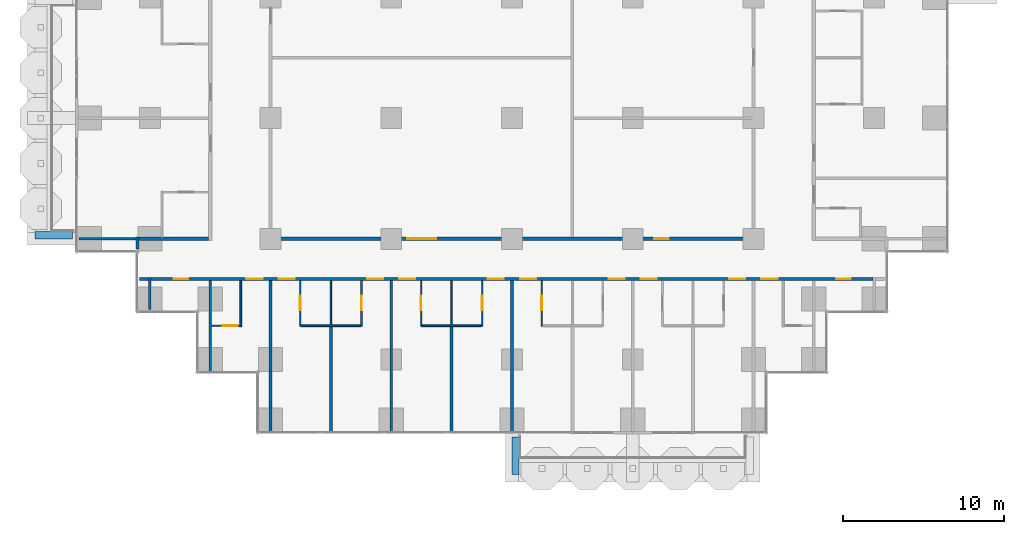
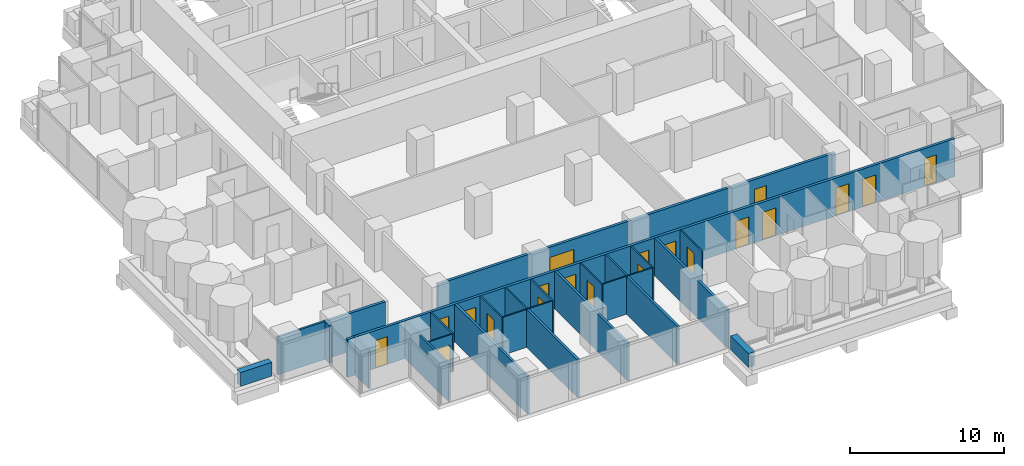
# One storey, part 11 of 19: 26 walls, 20 doors, 20 openings.
"""IFC4 building model written with IfcOpenShell, lengths in metres."""

from ifc_helpers import new_model, si_unit, direction, frame, frame_2d, origin, place, context, subcontext, project, spatial, rectangle, extrude, material, layer, layer_set, type_object, element, fill, save


model = new_model("IFC4")

# Units and contexts
model_context = context("Model", 3, precision=1e-05, world=origin(), true_north=direction((0.0, 1.0)))
body_context = subcontext(model_context, "Body", "Model", "MODEL_VIEW")
ifc_project = project(units=[si_unit("LENGTHUNIT", "METRE"), si_unit("AREAUNIT", "SQUARE_METRE"), si_unit("VOLUMEUNIT", "CUBIC_METRE"), si_unit("PLANEANGLEUNIT", "RADIAN"), si_unit("MASSUNIT", "GRAM", prefix="KILO")], contexts=[model_context])

# Site, building, storey
site_placement = place(None, origin())
site = spatial("IfcSite", under=ifc_project, at=site_placement, CompositionType="ELEMENT")
building_placement = place(site_placement, origin())
building = spatial("IfcBuilding", under=site, at=building_placement, Name="Pilkhan Gate Tower", CompositionType="ELEMENT")
storey_placement = place(building_placement, frame((0.0, 0.0, 72.5)))
storey = spatial("IfcBuildingStorey", under=building, at=storey_placement, Name="L16", CompositionType="ELEMENT", Elevation=72.5)

# Walls
ifc_material_1 = material(Name="Dense blockwork", Category="masonry")
ifc_layer_1 = layer(ifc_material_1, 0.175048828125)
ifc_layer_set_1 = layer_set([ifc_layer_1], Name="Acoustic party wall PW175")
wall_type_1 = type_object("IfcWallType", Name="Acoustic party wall PW175", PredefinedType="PARTITIONING", material=ifc_layer_set_1)
wall_1_placement = place(storey_placement, frame((60.0, 40.485107421875, 0.0), z_axis=(0.0, 0.0, 1.0), x_axis=(0.0, 1.0, 0.0)))
element("IfcWall", 1, at=wall_1_placement, inside=storey, type_object=wall_type_1, Name="Partition L16", PredefinedType="PARTITIONING", context=body_context, shape_type="SweptSolid", body=[
    extrude(rectangle(XDim=9.414794921875, YDim=0.175048828125, at=frame_2d((4.70751953125, 0.0))), origin(), (0.0, 0.0, 1.0), 3.0),
])
wall_2_placement = place(storey_placement, frame((63.75, 40.485107421875, 0.0), z_axis=(0.0, 0.0, 1.0), x_axis=(0.0, 1.0, 0.0)))
element("IfcWall", 2, at=wall_2_placement, inside=storey, type_object=wall_type_1, Name="Partition L16", PredefinedType="PARTITIONING", context=body_context, shape_type="SweptSolid", body=[
    extrude(rectangle(XDim=6.56494140625, YDim=0.175048828125, at=frame_2d((3.282470703125, 0.0))), origin(), (0.0, 0.0, 1.0), 3.0),
])
wall_3_placement = place(storey_placement, frame((67.5, 40.485107421875, 0.0), z_axis=(0.0, 0.0, 1.0), x_axis=(0.0, 1.0, 0.0)))
element("IfcWall", 3, at=wall_3_placement, inside=storey, type_object=wall_type_1, Name="Partition L16", PredefinedType="PARTITIONING", context=body_context, shape_type="SweptSolid", body=[
    extrude(rectangle(XDim=9.414794921875, YDim=0.175048828125, at=frame_2d((4.70751953125, 0.0))), origin(), (0.0, 0.0, 1.0), 3.0),
])
wall_4_placement = place(storey_placement, frame((71.25, 40.485107421875, 0.0), z_axis=(0.0, 0.0, 1.0), x_axis=(0.0, 1.0, 0.0)))
element("IfcWall", 4, at=wall_4_placement, inside=storey, type_object=wall_type_1, Name="Partition L16", PredefinedType="PARTITIONING", context=body_context, shape_type="SweptSolid", body=[
    extrude(rectangle(XDim=6.56494140625, YDim=0.175048828125, at=frame_2d((3.282470703125, 0.0))), origin(), (0.0, 0.0, 1.0), 3.0),
])
wall_5_placement = place(storey_placement, frame((75.0, 40.485107421875, 0.0), z_axis=(0.0, 0.0, 1.0), x_axis=(0.0, 1.0, 0.0)))
element("IfcWall", 5, at=wall_5_placement, inside=storey, type_object=wall_type_1, Name="Partition L16", PredefinedType="PARTITIONING", context=body_context, shape_type="SweptSolid", body=[
    extrude(rectangle(XDim=9.414794921875, YDim=0.175048828125, at=frame_2d((4.70751953125, 0.0))), origin(), (0.0, 0.0, 1.0), 3.0),
])
ifc_material_2 = material(Name="Board-marked Concrete C40/50", Category="concrete")
ifc_layer_2 = layer(ifc_material_2, 0.449951171875)
ifc_layer_set_2 = layer_set([ifc_layer_2], Name="Balcony planter lip BL450")
wall_type_2 = type_object("IfcWallType", Name="Balcony planter lip BL450", PredefinedType="USERDEFINED", material=ifc_layer_set_2)
for number, where, z_axis, x_axis, name in (
    (6, (75.22509765625, 40.199951171875, 0.0), (0.0, 0.0, 1.0), (0.0, -1.0, 0.0), "Balcony planter L16 S"),
    (7, (47.699951171875, 52.72509765625, 0.0), (0.0, 0.0, 1.0), (-1.0, 0.0, 0.0), "Balcony planter L16 W"),
):
    element("IfcWall", number, at=place(storey_placement, frame(where, z_axis=z_axis, x_axis=x_axis)), inside=storey, type_object=wall_type_2, Name=name, ObjectType="BALCONY PLANTER", PredefinedType="USERDEFINED", context=body_context, shape_type="SweptSolid", body=[
        extrude(rectangle(XDim=2.349853515625, YDim=0.449951171875, at=frame_2d((1.1748046875, 0.0))), origin(), (0.0, 0.0, 1.0), 1.10009765625),
    ])
ifc_layer_3 = layer(ifc_material_1, 0.199951171875)
ifc_layer_set_3 = layer_set([ifc_layer_3], Name="Corridor wall FW200")
wall_type_3 = type_object("IfcWallType", Name="Corridor wall FW200", PredefinedType="PARTITIONING", material=ifc_layer_set_3)
wall_6_placement = place(storey_placement, frame((51.85498046875, 50.0, 0.0), z_axis=(0.0, 0.0, 1.0), x_axis=(1.0, 0.0, 0.0)))
element("IfcWall", 8, at=wall_6_placement, inside=storey, type_object=wall_type_3, Name="Partition L16", PredefinedType="PARTITIONING", context=body_context, shape_type="SweptSolid", body=[
    extrude(rectangle(XDim=0.570068359375, YDim=0.199951171875, at=frame_2d((0.28515625, 0.0))), origin(), (0.0, 0.0, 1.0), 3.0),
])

# Wall, openings, doors
wall_7_placement = place(storey_placement, frame((52.574951171875, 50.0, 0.0), z_axis=(0.0, 0.0, 1.0), x_axis=(1.0, 0.0, 0.0)))
wall_7 = element("IfcWall", 9, at=wall_7_placement, inside=storey, type_object=wall_type_3, Name="Partition L16", PredefinedType="PARTITIONING", context=body_context, shape_type="SweptSolid", body=[
    extrude(rectangle(XDim=44.85009765625, YDim=0.199951171875, at=frame_2d((22.425048828125, 0.0))), origin(), (0.0, 0.0, 1.0), 3.0),
])
opening_1_placement = place(wall_7_placement, frame((5.925048828125, 0.0, 0.0)))
opening_1 = element("IfcOpeningElement", 10, at=opening_1_placement, cuts=wall_7, Name="Opening L16-06", PredefinedType="OPENING", context=body_context, shape_type="SweptSolid", body=[
    extrude(rectangle(XDim=1.0, YDim=2.199951171875, at=frame_2d((0.5, 1.10009765625))), frame((0.0, 0.10986328125, 0.0), z_axis=(0.0, -1.0, 0.0), x_axis=(1.0, 0.0, 0.0)), (0.0, 0.0, 1.0), 0.219970703125),
])
opening_2_placement = place(wall_7_placement, frame((7.925048828125, 0.0, 0.0)))
opening_2 = element("IfcOpeningElement", 11, at=opening_2_placement, cuts=wall_7, Name="Opening L16-08", PredefinedType="OPENING", context=body_context, shape_type="SweptSolid", body=[
    extrude(rectangle(XDim=1.0, YDim=2.199951171875, at=frame_2d((0.5, 1.10009765625))), frame((0.0, 0.10986328125, 0.0), z_axis=(0.0, -1.0, 0.0), x_axis=(1.0, 0.0, 0.0)), (0.0, 0.0, 1.0), 0.219970703125),
])
opening_3_placement = place(wall_7_placement, frame((13.425048828125, 0.0, 0.0)))
opening_3 = element("IfcOpeningElement", 12, at=opening_3_placement, cuts=wall_7, Name="Opening L16-10", PredefinedType="OPENING", context=body_context, shape_type="SweptSolid", body=[
    extrude(rectangle(XDim=1.0, YDim=2.199951171875, at=frame_2d((0.5, 1.10009765625))), frame((0.0, 0.10986328125, 0.0), z_axis=(0.0, -1.0, 0.0), x_axis=(1.0, 0.0, 0.0)), (0.0, 0.0, 1.0), 0.219970703125),
])
opening_4_placement = place(wall_7_placement, frame((15.425048828125, 0.0, 0.0)))
opening_4 = element("IfcOpeningElement", 13, at=opening_4_placement, cuts=wall_7, Name="Opening L16-12", PredefinedType="OPENING", context=body_context, shape_type="SweptSolid", body=[
    extrude(rectangle(XDim=1.0, YDim=2.199951171875, at=frame_2d((0.5, 1.10009765625))), frame((0.0, 0.10986328125, 0.0), z_axis=(0.0, -1.0, 0.0), x_axis=(1.0, 0.0, 0.0)), (0.0, 0.0, 1.0), 0.219970703125),
])
opening_5_placement = place(wall_7_placement, frame((20.925048828125, 0.0, 0.0)))
opening_5 = element("IfcOpeningElement", 14, at=opening_5_placement, cuts=wall_7, Name="Opening L16-14", PredefinedType="OPENING", context=body_context, shape_type="SweptSolid", body=[
    extrude(rectangle(XDim=1.0, YDim=2.199951171875, at=frame_2d((0.5, 1.10009765625))), frame((0.0, 0.10986328125, 0.0), z_axis=(0.0, -1.0, 0.0), x_axis=(1.0, 0.0, 0.0)), (0.0, 0.0, 1.0), 0.219970703125),
])
opening_6_placement = place(wall_7_placement, frame((22.925048828125, 0.0, 0.0)))
opening_6 = element("IfcOpeningElement", 15, at=opening_6_placement, cuts=wall_7, Name="Opening L16-16", PredefinedType="OPENING", context=body_context, shape_type="SweptSolid", body=[
    extrude(rectangle(XDim=1.0, YDim=2.199951171875, at=frame_2d((0.5, 1.10009765625))), frame((0.0, 0.10986328125, 0.0), z_axis=(0.0, -1.0, 0.0), x_axis=(1.0, 0.0, 0.0)), (0.0, 0.0, 1.0), 0.219970703125),
])
opening_7_placement = place(wall_7_placement, frame((28.425048828125, 0.0, 0.0)))
opening_7 = element("IfcOpeningElement", 16, at=opening_7_placement, cuts=wall_7, Name="Opening L16-18", PredefinedType="OPENING", context=body_context, shape_type="SweptSolid", body=[
    extrude(rectangle(XDim=1.0, YDim=2.199951171875, at=frame_2d((0.5, 1.10009765625))), frame((0.0, 0.10986328125, 0.0), z_axis=(0.0, -1.0, 0.0), x_axis=(1.0, 0.0, 0.0)), (0.0, 0.0, 1.0), 0.219970703125),
])
opening_8_placement = place(wall_7_placement, frame((30.425048828125, 0.0, 0.0)))
opening_8 = element("IfcOpeningElement", 17, at=opening_8_placement, cuts=wall_7, Name="Opening L16-20", PredefinedType="OPENING", context=body_context, shape_type="SweptSolid", body=[
    extrude(rectangle(XDim=1.0, YDim=2.199951171875, at=frame_2d((0.5, 1.10009765625))), frame((0.0, 0.10986328125, 0.0), z_axis=(0.0, -1.0, 0.0), x_axis=(1.0, 0.0, 0.0)), (0.0, 0.0, 1.0), 0.219970703125),
])
opening_9_placement = place(wall_7_placement, frame((35.925048828125, 0.0, 0.0)))
opening_9 = element("IfcOpeningElement", 18, at=opening_9_placement, cuts=wall_7, Name="Opening L16-22", PredefinedType="OPENING", context=body_context, shape_type="SweptSolid", body=[
    extrude(rectangle(XDim=1.0, YDim=2.199951171875, at=frame_2d((0.5, 1.10009765625))), frame((0.0, 0.10986328125, 0.0), z_axis=(0.0, -1.0, 0.0), x_axis=(1.0, 0.0, 0.0)), (0.0, 0.0, 1.0), 0.219970703125),
])
opening_10_placement = place(wall_7_placement, frame((37.925048828125, 0.0, 0.0)))
opening_10 = element("IfcOpeningElement", 19, at=opening_10_placement, cuts=wall_7, Name="Opening L16-24", PredefinedType="OPENING", context=body_context, shape_type="SweptSolid", body=[
    extrude(rectangle(XDim=1.0, YDim=2.199951171875, at=frame_2d((0.5, 1.10009765625))), frame((0.0, 0.10986328125, 0.0), z_axis=(0.0, -1.0, 0.0), x_axis=(1.0, 0.0, 0.0)), (0.0, 0.0, 1.0), 0.219970703125),
])
opening_11_placement = place(wall_7_placement, frame((1.39990234375, 0.0, 0.0)))
opening_11 = element("IfcOpeningElement", 20, at=opening_11_placement, cuts=wall_7, Name="Opening L16-51", PredefinedType="OPENING", context=body_context, shape_type="SweptSolid", body=[
    extrude(rectangle(XDim=0.89990234375, YDim=2.199951171875, at=frame_2d((0.449951171875, 1.10009765625))), frame((0.0, 0.10986328125, 0.0), z_axis=(0.0, -1.0, 0.0), x_axis=(1.0, 0.0, 0.0)), (0.0, 0.0, 1.0), 0.219970703125),
])
opening_12_placement = place(wall_7_placement, frame((42.574951171875, 0.0, 0.0)))
opening_12 = element("IfcOpeningElement", 21, at=opening_12_placement, cuts=wall_7, Name="Opening L16-52", PredefinedType="OPENING", context=body_context, shape_type="SweptSolid", body=[
    extrude(rectangle(XDim=0.89990234375, YDim=2.199951171875, at=frame_2d((0.449951171875, 1.10009765625))), frame((0.0, 0.10986328125, 0.0), z_axis=(0.0, -1.0, 0.0), x_axis=(1.0, 0.0, 0.0)), (0.0, 0.0, 1.0), 0.219970703125),
])
ifc_material_3 = material(Name="Timber flush door, 30 minute fire resisting", Category="wood")
door_type_1 = type_object("IfcDoorType", Name="Guest room door D01 1000x2200", OperationType="SINGLE_SWING_LEFT", PredefinedType="DOOR", material=ifc_material_3)
door_1_placement = place(opening_1_placement, origin())
door_1 = element("IfcDoor", 22, at=door_1_placement, inside=storey, type_object=door_type_1, Name="Guest room door", OperationType="SINGLE_SWING_LEFT", OverallHeight=2.199951171875, OverallWidth=1.0, PredefinedType="DOOR", context=body_context, shape_type="SweptSolid", body=[
    extrude(rectangle(XDim=1.0, YDim=2.199951171875, at=frame_2d((0.5, 1.10009765625))), frame((0.0, 0.02490234375, 0.0), z_axis=(0.0, -1.0, 0.0), x_axis=(1.0, 0.0, 0.0)), (0.0, 0.0, 1.0), 0.050048828125),
])
fill(opening_1, door_1)
door_2_placement = place(opening_2_placement, origin())
door_2 = element("IfcDoor", 23, at=door_2_placement, inside=storey, type_object=door_type_1, Name="Guest room door", OperationType="SINGLE_SWING_LEFT", OverallHeight=2.199951171875, OverallWidth=1.0, PredefinedType="DOOR", context=body_context, shape_type="SweptSolid", body=[
    extrude(rectangle(XDim=1.0, YDim=2.199951171875, at=frame_2d((0.5, 1.10009765625))), frame((0.0, 0.02490234375, 0.0), z_axis=(0.0, -1.0, 0.0), x_axis=(1.0, 0.0, 0.0)), (0.0, 0.0, 1.0), 0.050048828125),
])
fill(opening_2, door_2)
door_3_placement = place(opening_3_placement, origin())
door_3 = element("IfcDoor", 24, at=door_3_placement, inside=storey, type_object=door_type_1, Name="Guest room door", OperationType="SINGLE_SWING_LEFT", OverallHeight=2.199951171875, OverallWidth=1.0, PredefinedType="DOOR", context=body_context, shape_type="SweptSolid", body=[
    extrude(rectangle(XDim=1.0, YDim=2.199951171875, at=frame_2d((0.5, 1.10009765625))), frame((0.0, 0.02490234375, 0.0), z_axis=(0.0, -1.0, 0.0), x_axis=(1.0, 0.0, 0.0)), (0.0, 0.0, 1.0), 0.050048828125),
])
fill(opening_3, door_3)
door_4_placement = place(opening_4_placement, origin())
door_4 = element("IfcDoor", 25, at=door_4_placement, inside=storey, type_object=door_type_1, Name="Guest room door", OperationType="SINGLE_SWING_RIGHT", OverallHeight=2.199951171875, OverallWidth=1.0, PredefinedType="DOOR", context=body_context, shape_type="SweptSolid", body=[
    extrude(rectangle(XDim=1.0, YDim=2.199951171875, at=frame_2d((0.5, 1.10009765625))), frame((0.0, 0.02490234375, 0.0), z_axis=(0.0, -1.0, 0.0), x_axis=(1.0, 0.0, 0.0)), (0.0, 0.0, 1.0), 0.050048828125),
])
fill(opening_4, door_4)
door_5_placement = place(opening_5_placement, origin())
door_5 = element("IfcDoor", 26, at=door_5_placement, inside=storey, type_object=door_type_1, Name="Guest room door", OperationType="SINGLE_SWING_LEFT", OverallHeight=2.199951171875, OverallWidth=1.0, PredefinedType="DOOR", context=body_context, shape_type="SweptSolid", body=[
    extrude(rectangle(XDim=1.0, YDim=2.199951171875, at=frame_2d((0.5, 1.10009765625))), frame((0.0, 0.02490234375, 0.0), z_axis=(0.0, -1.0, 0.0), x_axis=(1.0, 0.0, 0.0)), (0.0, 0.0, 1.0), 0.050048828125),
])
fill(opening_5, door_5)
door_6_placement = place(opening_6_placement, origin())
door_6 = element("IfcDoor", 27, at=door_6_placement, inside=storey, type_object=door_type_1, Name="Guest room door", OperationType="SINGLE_SWING_LEFT", OverallHeight=2.199951171875, OverallWidth=1.0, PredefinedType="DOOR", context=body_context, shape_type="SweptSolid", body=[
    extrude(rectangle(XDim=1.0, YDim=2.199951171875, at=frame_2d((0.5, 1.10009765625))), frame((0.0, 0.02490234375, 0.0), z_axis=(0.0, -1.0, 0.0), x_axis=(1.0, 0.0, 0.0)), (0.0, 0.0, 1.0), 0.050048828125),
])
fill(opening_6, door_6)
door_7_placement = place(opening_7_placement, origin())
door_7 = element("IfcDoor", 28, at=door_7_placement, inside=storey, type_object=door_type_1, Name="Guest room door", OperationType="SINGLE_SWING_LEFT", OverallHeight=2.199951171875, OverallWidth=1.0, PredefinedType="DOOR", context=body_context, shape_type="SweptSolid", body=[
    extrude(rectangle(XDim=1.0, YDim=2.199951171875, at=frame_2d((0.5, 1.10009765625))), frame((0.0, 0.02490234375, 0.0), z_axis=(0.0, -1.0, 0.0), x_axis=(1.0, 0.0, 0.0)), (0.0, 0.0, 1.0), 0.050048828125),
])
fill(opening_7, door_7)
door_8_placement = place(opening_8_placement, origin())
door_8 = element("IfcDoor", 29, at=door_8_placement, inside=storey, type_object=door_type_1, Name="Guest room door", OperationType="SINGLE_SWING_RIGHT", OverallHeight=2.199951171875, OverallWidth=1.0, PredefinedType="DOOR", context=body_context, shape_type="SweptSolid", body=[
    extrude(rectangle(XDim=1.0, YDim=2.199951171875, at=frame_2d((0.5, 1.10009765625))), frame((0.0, 0.02490234375, 0.0), z_axis=(0.0, -1.0, 0.0), x_axis=(1.0, 0.0, 0.0)), (0.0, 0.0, 1.0), 0.050048828125),
])
fill(opening_8, door_8)
door_9_placement = place(opening_9_placement, origin())
door_9 = element("IfcDoor", 30, at=door_9_placement, inside=storey, type_object=door_type_1, Name="Guest room door", OperationType="SINGLE_SWING_LEFT", OverallHeight=2.199951171875, OverallWidth=1.0, PredefinedType="DOOR", context=body_context, shape_type="SweptSolid", body=[
    extrude(rectangle(XDim=1.0, YDim=2.199951171875, at=frame_2d((0.5, 1.10009765625))), frame((0.0, 0.02490234375, 0.0), z_axis=(0.0, -1.0, 0.0), x_axis=(1.0, 0.0, 0.0)), (0.0, 0.0, 1.0), 0.050048828125),
])
fill(opening_9, door_9)
door_10_placement = place(opening_10_placement, origin())
door_10 = element("IfcDoor", 31, at=door_10_placement, inside=storey, type_object=door_type_1, Name="Guest room door", OperationType="SINGLE_SWING_RIGHT", OverallHeight=2.199951171875, OverallWidth=1.0, PredefinedType="DOOR", context=body_context, shape_type="SweptSolid", body=[
    extrude(rectangle(XDim=1.0, YDim=2.199951171875, at=frame_2d((0.5, 1.10009765625))), frame((0.0, 0.02490234375, 0.0), z_axis=(0.0, -1.0, 0.0), x_axis=(1.0, 0.0, 0.0)), (0.0, 0.0, 1.0), 0.050048828125),
])
fill(opening_10, door_10)
ifc_material_4 = material(Name="Timber flush door, 60 minute fire resisting, self-closing", Category="wood")
door_type_2 = type_object("IfcDoorType", Name="Store door D05 900x2200", OperationType="SINGLE_SWING_LEFT", PredefinedType="DOOR", material=ifc_material_4)
door_11_placement = place(opening_11_placement, origin())
door_11 = element("IfcDoor", 32, at=door_11_placement, inside=storey, type_object=door_type_2, Name="Store door", OperationType="SINGLE_SWING_LEFT", OverallHeight=2.199951171875, OverallWidth=0.89990234375, PredefinedType="DOOR", context=body_context, shape_type="SweptSolid", body=[
    extrude(rectangle(XDim=0.89990234375, YDim=2.199951171875, at=frame_2d((0.449951171875, 1.10009765625))), frame((0.0, 0.02490234375, 0.0), z_axis=(0.0, -1.0, 0.0), x_axis=(1.0, 0.0, 0.0)), (0.0, 0.0, 1.0), 0.050048828125),
])
fill(opening_11, door_11)
door_12_placement = place(opening_12_placement, origin())
door_12 = element("IfcDoor", 33, at=door_12_placement, inside=storey, type_object=door_type_2, Name="Store door", OperationType="SINGLE_SWING_RIGHT", OverallHeight=2.199951171875, OverallWidth=0.89990234375, PredefinedType="DOOR", context=body_context, shape_type="SweptSolid", body=[
    extrude(rectangle(XDim=0.89990234375, YDim=2.199951171875, at=frame_2d((0.449951171875, 1.10009765625))), frame((0.0, 0.02490234375, 0.0), z_axis=(0.0, -1.0, 0.0), x_axis=(1.0, 0.0, 0.0)), (0.0, 0.0, 1.0), 0.050048828125),
])
fill(opening_12, door_12)

# Wall
wall_8_placement = place(storey_placement, frame((51.8349609375, 52.5, 0.0), z_axis=(0.0, 0.0, 1.0), x_axis=(1.0, 0.0, 0.0)))
element("IfcWall", 34, at=wall_8_placement, inside=storey, type_object=wall_type_3, Name="Partition L16", PredefinedType="PARTITIONING", context=body_context, shape_type="SweptSolid", body=[
    extrude(rectangle(XDim=4.31494140625, YDim=0.199951171875, at=frame_2d((2.157470703125, 0.0))), origin(), (0.0, 0.0, 1.0), 3.0),
])

# Wall, openings, doors
wall_9_placement = place(storey_placement, frame((60.10009765625, 52.5, 0.0), z_axis=(0.0, 0.0, 1.0), x_axis=(1.0, 0.0, 0.0)))
wall_9 = element("IfcWall", 35, at=wall_9_placement, inside=storey, type_object=wall_type_3, Name="Partition L16", PredefinedType="PARTITIONING", context=body_context, shape_type="SweptSolid", body=[
    extrude(rectangle(XDim=29.7998046875, YDim=0.199951171875, at=frame_2d((14.89990234375, 0.0))), origin(), (0.0, 0.0, 1.0), 3.0),
])
opening_13_placement = place(wall_9_placement, frame((8.39990234375, 0.0, 0.0)))
opening_13 = element("IfcOpeningElement", 36, at=opening_13_placement, cuts=wall_9, Name="Opening L16-54", PredefinedType="OPENING", context=body_context, shape_type="SweptSolid", body=[
    extrude(rectangle(XDim=1.800048828125, YDim=2.199951171875, at=frame_2d((0.89990234375, 1.10009765625))), frame((0.0, 0.10986328125, 0.0), z_axis=(0.0, -1.0, 0.0), x_axis=(1.0, 0.0, 0.0)), (0.0, 0.0, 1.0), 0.219970703125),
])
opening_14_placement = place(wall_9_placement, frame((23.75, 0.0, 0.0)))
opening_14 = element("IfcOpeningElement", 37, at=opening_14_placement, cuts=wall_9, Name="Opening L16-55", PredefinedType="OPENING", context=body_context, shape_type="SweptSolid", body=[
    extrude(rectangle(XDim=0.89990234375, YDim=2.199951171875, at=frame_2d((0.449951171875, 1.10009765625))), frame((0.0, 0.10986328125, 0.0), z_axis=(0.0, -1.0, 0.0), x_axis=(1.0, 0.0, 0.0)), (0.0, 0.0, 1.0), 0.219970703125),
])
ifc_material_5 = material(Name="Timber glazed double door, 30 minute fire resisting", Category="wood")
door_type_3 = type_object("IfcDoorType", Name="Double door D04 1800x2200", OperationType="DOUBLE_DOOR_SINGLE_SWING", PredefinedType="DOOR", material=ifc_material_5)
door_13_placement = place(opening_13_placement, origin())
door_13 = element("IfcDoor", 38, at=door_13_placement, inside=storey, type_object=door_type_3, Name="Double door", OperationType="DOUBLE_DOOR_SINGLE_SWING", OverallHeight=2.199951171875, OverallWidth=1.800048828125, PredefinedType="DOOR", context=body_context, shape_type="SweptSolid", body=[
    extrude(rectangle(XDim=1.800048828125, YDim=2.199951171875, at=frame_2d((0.89990234375, 1.10009765625))), frame((0.0, 0.02490234375, 0.0), z_axis=(0.0, -1.0, 0.0), x_axis=(1.0, 0.0, 0.0)), (0.0, 0.0, 1.0), 0.050048828125),
])
fill(opening_13, door_13)
door_14_placement = place(opening_14_placement, origin())
door_14 = element("IfcDoor", 39, at=door_14_placement, inside=storey, type_object=door_type_2, Name="Store door", OperationType="SINGLE_SWING_LEFT", OverallHeight=2.199951171875, OverallWidth=0.89990234375, PredefinedType="DOOR", context=body_context, shape_type="SweptSolid", body=[
    extrude(rectangle(XDim=0.89990234375, YDim=2.199951171875, at=frame_2d((0.449951171875, 1.10009765625))), frame((0.0, 0.02490234375, 0.0), z_axis=(0.0, -1.0, 0.0), x_axis=(1.0, 0.0, 0.0)), (0.0, 0.0, 1.0), 0.050048828125),
])
fill(opening_14, door_14)

# Walls
wall_10_placement = place(storey_placement, frame((51.735107421875, 51.85498046875, 0.0), z_axis=(0.0, 0.0, 1.0), x_axis=(0.0, 1.0, 0.0)))
element("IfcWall", 40, at=wall_10_placement, inside=storey, type_object=wall_type_3, Name="Partition L16", PredefinedType="PARTITIONING", context=body_context, shape_type="SweptSolid", body=[
    extrude(rectangle(XDim=0.7451171875, YDim=0.199951171875, at=frame_2d((0.37255859375, 0.0))), origin(), (0.0, 0.0, 1.0), 3.0),
])
ifc_material_6 = material(Name="Blockwork partition, plastered both sides", Category="masonry")
ifc_layer_4 = layer(ifc_material_6, 0.14990234375)
ifc_layer_set_4 = layer_set([ifc_layer_4], Name="Partition PW150")
wall_type_4 = type_object("IfcWallType", Name="Partition PW150", PredefinedType="PARTITIONING", material=ifc_layer_set_4)
wall_11_placement = place(storey_placement, frame((48.10498046875, 52.5, 0.0), z_axis=(0.0, 0.0, 1.0), x_axis=(1.0, 0.0, 0.0)))
element("IfcWall", 41, at=wall_11_placement, inside=storey, type_object=wall_type_4, Name="Partition L16", PredefinedType="PARTITIONING", context=body_context, shape_type="SweptSolid", body=[
    extrude(rectangle(XDim=3.530029296875, YDim=0.14990234375, at=frame_2d((1.76513671875, 0.0))), origin(), (0.0, 0.0, 1.0), 3.0),
])
wall_12_placement = place(storey_placement, frame((52.5, 48.10498046875, 0.0), z_axis=(0.0, 0.0, 1.0), x_axis=(0.0, 1.0, 0.0)))
element("IfcWall", 42, at=wall_12_placement, inside=storey, type_object=wall_type_4, Name="Partition L16", PredefinedType="PARTITIONING", context=body_context, shape_type="SweptSolid", body=[
    extrude(rectangle(XDim=1.9951171875, YDim=0.14990234375, at=frame_2d((0.99755859375, 0.0))), origin(), (0.0, 0.0, 1.0), 3.0),
])
wall_13_placement = place(storey_placement, frame((56.25, 44.235107421875, 0.0), z_axis=(0.0, 0.0, 1.0), x_axis=(0.0, 1.0, 0.0)))
element("IfcWall", 43, at=wall_13_placement, inside=storey, type_object=wall_type_4, Name="Partition L16", PredefinedType="PARTITIONING", context=body_context, shape_type="SweptSolid", body=[
    extrude(rectangle(XDim=5.664794921875, YDim=0.14990234375, at=frame_2d((2.83251953125, 0.0))), origin(), (0.0, 0.0, 1.0), 3.0),
])

# Wall, opening, door
ifc_material_7 = material(Name="Moisture resistant board, tiled")
ifc_layer_5 = layer(ifc_material_7, 0.10009765625)
ifc_layer_set_5 = layer_set([ifc_layer_5], Name="Wet wall PW100")
wall_type_5 = type_object("IfcWallType", Name="Wet wall PW100", PredefinedType="PARTITIONING", material=ifc_layer_set_5)
wall_14_placement = place(storey_placement, frame((56.324951171875, 47.10009765625, 0.0), z_axis=(0.0, 0.0, 1.0), x_axis=(1.0, 0.0, 0.0)))
wall_14 = element("IfcWall", 44, at=wall_14_placement, inside=storey, type_object=wall_type_5, Name="Partition L16", PredefinedType="PARTITIONING", context=body_context, shape_type="SweptSolid", body=[
    extrude(rectangle(XDim=1.775146484375, YDim=0.10009765625, at=frame_2d((0.8876953125, 0.0))), origin(), (0.0, 0.0, 1.0), 3.0),
])
opening_15_placement = place(wall_14_placement, frame((0.699951171875, 0.0, 0.0)))
opening_15 = element("IfcOpeningElement", 45, at=opening_15_placement, cuts=wall_14, Name="Opening L16-07", PredefinedType="OPENING", context=body_context, shape_type="SweptSolid", body=[
    extrude(rectangle(XDim=0.89990234375, YDim=2.199951171875, at=frame_2d((0.449951171875, 1.10009765625))), frame((0.0, 0.06005859375, 0.0), z_axis=(0.0, -1.0, 0.0), x_axis=(1.0, 0.0, 0.0)), (0.0, 0.0, 1.0), 0.1201171875),
])
ifc_material_8 = material(Name="Timber flush door", Category="wood")
door_type_4 = type_object("IfcDoorType", Name="Bathroom door D02 900x2200", OperationType="SINGLE_SWING_RIGHT", PredefinedType="DOOR", material=ifc_material_8)
door_15_placement = place(opening_15_placement, origin())
door_15 = element("IfcDoor", 46, at=door_15_placement, inside=storey, type_object=door_type_4, Name="Bathroom door", OperationType="SINGLE_SWING_RIGHT", OverallHeight=2.199951171875, OverallWidth=0.89990234375, PredefinedType="DOOR", context=body_context, shape_type="SweptSolid", body=[
    extrude(rectangle(XDim=0.89990234375, YDim=2.199951171875, at=frame_2d((0.449951171875, 1.10009765625))), frame((0.0, 0.02490234375, 0.0), z_axis=(0.0, -1.0, 0.0), x_axis=(1.0, 0.0, 0.0)), (0.0, 0.0, 1.0), 0.050048828125),
])
fill(opening_15, door_15)

# Walls
for number, where, z_axis, x_axis, name in (
    (47, (61.89990234375, 47.10009765625, 0.0), (0.0, 0.0, 1.0), (1.0, 0.0, 0.0), "Partition L16"),
    (48, (69.39990234375, 47.10009765625, 0.0), (0.0, 0.0, 1.0), (1.0, 0.0, 0.0), "Partition L16"),
):
    element("IfcWall", number, at=place(storey_placement, frame(where, z_axis=z_axis, x_axis=x_axis)), inside=storey, type_object=wall_type_5, Name=name, PredefinedType="PARTITIONING", context=body_context, shape_type="SweptSolid", body=[
        extrude(rectangle(XDim=3.7001953125, YDim=0.10009765625, at=frame_2d((1.85009765625, 0.0))), origin(), (0.0, 0.0, 1.0), 3.0),
    ])
wall_15_placement = place(storey_placement, frame((58.14990234375, 47.050048828125, 0.0), z_axis=(0.0, 0.0, 1.0), x_axis=(0.0, 1.0, 0.0)))
element("IfcWall", 49, at=wall_15_placement, inside=storey, type_object=wall_type_5, Name="Partition L16", PredefinedType="PARTITIONING", context=body_context, shape_type="SweptSolid", body=[
    extrude(rectangle(XDim=2.849853515625, YDim=0.10009765625, at=frame_2d((1.4248046875, 0.0))), origin(), (0.0, 0.0, 1.0), 3.0),
])

# Wall, opening, door
wall_16_placement = place(storey_placement, frame((61.85009765625, 47.050048828125, 0.0), z_axis=(0.0, 0.0, 1.0), x_axis=(0.0, 1.0, 0.0)))
wall_16 = element("IfcWall", 50, at=wall_16_placement, inside=storey, type_object=wall_type_5, Name="Partition L16", PredefinedType="PARTITIONING", context=body_context, shape_type="SweptSolid", body=[
    extrude(rectangle(XDim=2.849853515625, YDim=0.10009765625, at=frame_2d((1.4248046875, 0.0))), origin(), (0.0, 0.0, 1.0), 3.0),
])
opening_16_placement = place(wall_16_placement, frame((1.0, 0.0, 0.0)))
opening_16 = element("IfcOpeningElement", 51, at=opening_16_placement, cuts=wall_16, Name="Opening L16-09", PredefinedType="OPENING", context=body_context, shape_type="SweptSolid", body=[
    extrude(rectangle(XDim=0.89990234375, YDim=2.199951171875, at=frame_2d((0.449951171875, 1.10009765625))), frame((0.0, 0.06005859375, 0.0), z_axis=(0.0, -1.0, 0.0), x_axis=(1.0, 0.0, 0.0)), (0.0, 0.0, 1.0), 0.1201171875),
])
door_16_placement = place(opening_16_placement, origin())
door_16 = element("IfcDoor", 52, at=door_16_placement, inside=storey, type_object=door_type_4, Name="Bathroom door", OperationType="SINGLE_SWING_RIGHT", OverallHeight=2.199951171875, OverallWidth=0.89990234375, PredefinedType="DOOR", context=body_context, shape_type="SweptSolid", body=[
    extrude(rectangle(XDim=0.89990234375, YDim=2.199951171875, at=frame_2d((0.449951171875, 1.10009765625))), frame((0.0, 0.02490234375, 0.0), z_axis=(0.0, -1.0, 0.0), x_axis=(1.0, 0.0, 0.0)), (0.0, 0.0, 1.0), 0.050048828125),
])
fill(opening_16, door_16)

# Wall
wall_17_placement = place(storey_placement, frame((63.75, 47.14990234375, 0.0), z_axis=(0.0, 0.0, 1.0), x_axis=(0.0, 1.0, 0.0)))
element("IfcWall", 53, at=wall_17_placement, inside=storey, type_object=wall_type_5, Name="Partition L16", PredefinedType="PARTITIONING", context=body_context, shape_type="SweptSolid", body=[
    extrude(rectangle(XDim=2.75, YDim=0.10009765625, at=frame_2d((1.375, 0.0))), origin(), (0.0, 0.0, 1.0), 3.0),
])

# Wall, opening, door
wall_18_placement = place(storey_placement, frame((65.64990234375, 47.050048828125, 0.0), z_axis=(0.0, 0.0, 1.0), x_axis=(0.0, 1.0, 0.0)))
wall_18 = element("IfcWall", 54, at=wall_18_placement, inside=storey, type_object=wall_type_5, Name="Partition L16", PredefinedType="PARTITIONING", context=body_context, shape_type="SweptSolid", body=[
    extrude(rectangle(XDim=2.849853515625, YDim=0.10009765625, at=frame_2d((1.4248046875, 0.0))), origin(), (0.0, 0.0, 1.0), 3.0),
])
opening_17_placement = place(wall_18_placement, frame((1.0, 0.0, 0.0)))
opening_17 = element("IfcOpeningElement", 55, at=opening_17_placement, cuts=wall_18, Name="Opening L16-11", PredefinedType="OPENING", context=body_context, shape_type="SweptSolid", body=[
    extrude(rectangle(XDim=0.89990234375, YDim=2.199951171875, at=frame_2d((0.449951171875, 1.10009765625))), frame((0.0, 0.06005859375, 0.0), z_axis=(0.0, -1.0, 0.0), x_axis=(1.0, 0.0, 0.0)), (0.0, 0.0, 1.0), 0.1201171875),
])
door_17_placement = place(opening_17_placement, origin())
door_17 = element("IfcDoor", 56, at=door_17_placement, inside=storey, type_object=door_type_4, Name="Bathroom door", OperationType="SINGLE_SWING_RIGHT", OverallHeight=2.199951171875, OverallWidth=0.89990234375, PredefinedType="DOOR", context=body_context, shape_type="SweptSolid", body=[
    extrude(rectangle(XDim=0.89990234375, YDim=2.199951171875, at=frame_2d((0.449951171875, 1.10009765625))), frame((0.0, 0.02490234375, 0.0), z_axis=(0.0, -1.0, 0.0), x_axis=(1.0, 0.0, 0.0)), (0.0, 0.0, 1.0), 0.050048828125),
])
fill(opening_17, door_17)

wall_19_placement = place(storey_placement, frame((69.35009765625, 47.050048828125, 0.0), z_axis=(0.0, 0.0, 1.0), x_axis=(0.0, 1.0, 0.0)))
wall_19 = element("IfcWall", 57, at=wall_19_placement, inside=storey, type_object=wall_type_5, Name="Partition L16", PredefinedType="PARTITIONING", context=body_context, shape_type="SweptSolid", body=[
    extrude(rectangle(XDim=2.849853515625, YDim=0.10009765625, at=frame_2d((1.4248046875, 0.0))), origin(), (0.0, 0.0, 1.0), 3.0),
])
opening_18_placement = place(wall_19_placement, frame((1.0, 0.0, 0.0)))
opening_18 = element("IfcOpeningElement", 58, at=opening_18_placement, cuts=wall_19, Name="Opening L16-13", PredefinedType="OPENING", context=body_context, shape_type="SweptSolid", body=[
    extrude(rectangle(XDim=0.89990234375, YDim=2.199951171875, at=frame_2d((0.449951171875, 1.10009765625))), frame((0.0, 0.06005859375, 0.0), z_axis=(0.0, -1.0, 0.0), x_axis=(1.0, 0.0, 0.0)), (0.0, 0.0, 1.0), 0.1201171875),
])
door_18_placement = place(opening_18_placement, origin())
door_18 = element("IfcDoor", 59, at=door_18_placement, inside=storey, type_object=door_type_4, Name="Bathroom door", OperationType="SINGLE_SWING_RIGHT", OverallHeight=2.199951171875, OverallWidth=0.89990234375, PredefinedType="DOOR", context=body_context, shape_type="SweptSolid", body=[
    extrude(rectangle(XDim=0.89990234375, YDim=2.199951171875, at=frame_2d((0.449951171875, 1.10009765625))), frame((0.0, 0.02490234375, 0.0), z_axis=(0.0, -1.0, 0.0), x_axis=(1.0, 0.0, 0.0)), (0.0, 0.0, 1.0), 0.050048828125),
])
fill(opening_18, door_18)

# Wall
wall_20_placement = place(storey_placement, frame((71.25, 47.14990234375, 0.0), z_axis=(0.0, 0.0, 1.0), x_axis=(0.0, 1.0, 0.0)))
element("IfcWall", 60, at=wall_20_placement, inside=storey, type_object=wall_type_5, Name="Partition L16", PredefinedType="PARTITIONING", context=body_context, shape_type="SweptSolid", body=[
    extrude(rectangle(XDim=2.75, YDim=0.10009765625, at=frame_2d((1.375, 0.0))), origin(), (0.0, 0.0, 1.0), 3.0),
])

# Wall, opening, door
wall_21_placement = place(storey_placement, frame((73.14990234375, 47.050048828125, 0.0), z_axis=(0.0, 0.0, 1.0), x_axis=(0.0, 1.0, 0.0)))
wall_21 = element("IfcWall", 61, at=wall_21_placement, inside=storey, type_object=wall_type_5, Name="Partition L16", PredefinedType="PARTITIONING", context=body_context, shape_type="SweptSolid", body=[
    extrude(rectangle(XDim=2.849853515625, YDim=0.10009765625, at=frame_2d((1.4248046875, 0.0))), origin(), (0.0, 0.0, 1.0), 3.0),
])
opening_19_placement = place(wall_21_placement, frame((1.0, 0.0, 0.0)))
opening_19 = element("IfcOpeningElement", 62, at=opening_19_placement, cuts=wall_21, Name="Opening L16-15", PredefinedType="OPENING", context=body_context, shape_type="SweptSolid", body=[
    extrude(rectangle(XDim=0.89990234375, YDim=2.199951171875, at=frame_2d((0.449951171875, 1.10009765625))), frame((0.0, 0.06005859375, 0.0), z_axis=(0.0, -1.0, 0.0), x_axis=(1.0, 0.0, 0.0)), (0.0, 0.0, 1.0), 0.1201171875),
])
door_19_placement = place(opening_19_placement, origin())
door_19 = element("IfcDoor", 63, at=door_19_placement, inside=storey, type_object=door_type_4, Name="Bathroom door", OperationType="SINGLE_SWING_RIGHT", OverallHeight=2.199951171875, OverallWidth=0.89990234375, PredefinedType="DOOR", context=body_context, shape_type="SweptSolid", body=[
    extrude(rectangle(XDim=0.89990234375, YDim=2.199951171875, at=frame_2d((0.449951171875, 1.10009765625))), frame((0.0, 0.02490234375, 0.0), z_axis=(0.0, -1.0, 0.0), x_axis=(1.0, 0.0, 0.0)), (0.0, 0.0, 1.0), 0.050048828125),
])
fill(opening_19, door_19)

wall_22_placement = place(storey_placement, frame((76.85009765625, 47.050048828125, 0.0), z_axis=(0.0, 0.0, 1.0), x_axis=(0.0, 1.0, 0.0)))
wall_22 = element("IfcWall", 64, at=wall_22_placement, inside=storey, type_object=wall_type_5, Name="Partition L16", PredefinedType="PARTITIONING", context=body_context, shape_type="SweptSolid", body=[
    extrude(rectangle(XDim=2.849853515625, YDim=0.10009765625, at=frame_2d((1.4248046875, 0.0))), origin(), (0.0, 0.0, 1.0), 3.0),
])
opening_20_placement = place(wall_22_placement, frame((1.0, 0.0, 0.0)))
opening_20 = element("IfcOpeningElement", 65, at=opening_20_placement, cuts=wall_22, Name="Opening L16-17", PredefinedType="OPENING", context=body_context, shape_type="SweptSolid", body=[
    extrude(rectangle(XDim=0.89990234375, YDim=2.199951171875, at=frame_2d((0.449951171875, 1.10009765625))), frame((0.0, 0.06005859375, 0.0), z_axis=(0.0, -1.0, 0.0), x_axis=(1.0, 0.0, 0.0)), (0.0, 0.0, 1.0), 0.1201171875),
])
door_20_placement = place(opening_20_placement, origin())
door_20 = element("IfcDoor", 66, at=door_20_placement, inside=storey, type_object=door_type_4, Name="Bathroom door", OperationType="SINGLE_SWING_RIGHT", OverallHeight=2.199951171875, OverallWidth=0.89990234375, PredefinedType="DOOR", context=body_context, shape_type="SweptSolid", body=[
    extrude(rectangle(XDim=0.89990234375, YDim=2.199951171875, at=frame_2d((0.449951171875, 1.10009765625))), frame((0.0, 0.02490234375, 0.0), z_axis=(0.0, -1.0, 0.0), x_axis=(1.0, 0.0, 0.0)), (0.0, 0.0, 1.0), 0.050048828125),
])
fill(opening_20, door_20)

save(model, "model.ifc")
